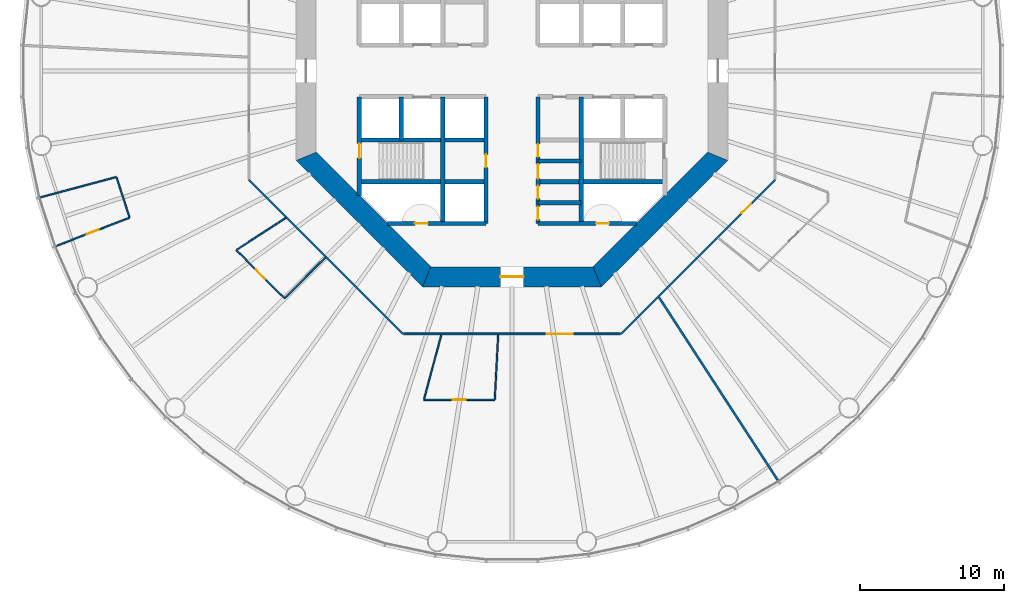
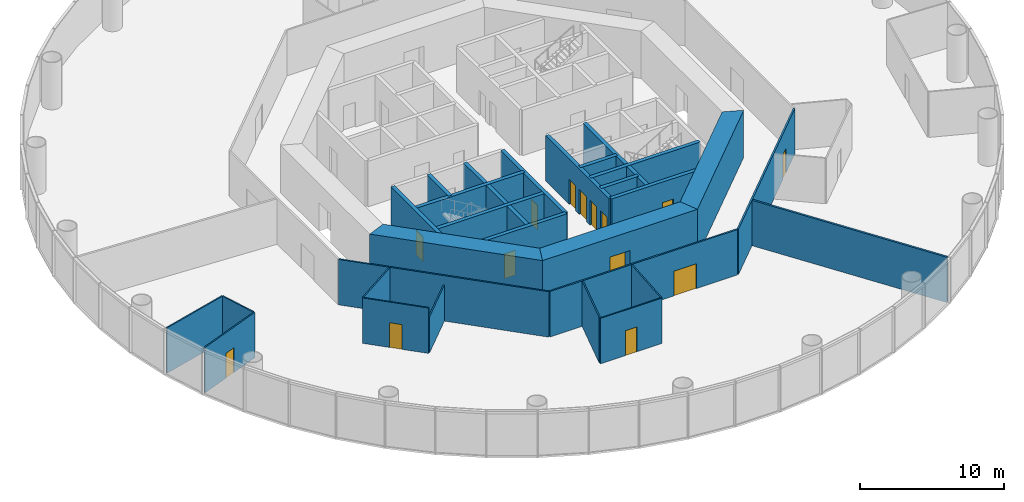
# One storey, part 3 of 13: 29 walls, 14 doors, 14 openings.
"""IFC4 building model written with IfcOpenShell, lengths in metres."""

from ifc_helpers import new_model, si_unit, direction, frame, frame_2d, origin, place, context, subcontext, project, spatial, polyline, rectangle, outline, extrude, material, layer, layer_set, type_object, element, fill, save


model = new_model("IFC4")

# Units and contexts
model_context = context("Model", 3, precision=1e-05, world=origin(), true_north=direction((0.0, 1.0)))
body_context = subcontext(model_context, "Body", "Model", "MODEL_VIEW")
ifc_project = project(units=[si_unit("LENGTHUNIT", "METRE"), si_unit("AREAUNIT", "SQUARE_METRE"), si_unit("VOLUMEUNIT", "CUBIC_METRE"), si_unit("PLANEANGLEUNIT", "RADIAN"), si_unit("MASSUNIT", "GRAM", prefix="KILO")], contexts=[model_context])

# Site, building, storey
site_placement = place(None, origin())
site = spatial("IfcSite", under=ifc_project, at=site_placement, CompositionType="ELEMENT")
building_placement = place(site_placement, origin())
building = spatial("IfcBuilding", under=site, at=building_placement, Name="Entoto Ring Tower", CompositionType="ELEMENT")
storey_placement = place(building_placement, frame((0.0, 0.0, 42.0)))
storey = spatial("IfcBuildingStorey", under=building, at=storey_placement, Name="L08", CompositionType="ELEMENT", Elevation=42.0)

# Wall
ifc_material_1 = material(Name="Concrete C40/50", Category="concrete")
ifc_layer_1 = layer(ifc_material_1, 0.300048828125)
ifc_layer_set_1 = layer_set([ifc_layer_1], Name="Concrete C40/50")
wall_type_1 = type_object("IfcWallType", Name="Core enclosure wall 300 mm reinforced concrete", PredefinedType="SOLIDWALL", material=ifc_layer_set_1)
wall_1_placement = place(storey_placement, frame((94.800048828125, 69.39990234375, 0.0), z_axis=(0.0, 0.0, 1.0), x_axis=(0.0, 1.0, 0.0)))
element("IfcWall", 1, at=wall_1_placement, inside=storey, type_object=wall_type_1, Name="wall-L08-005", PredefinedType="SOLIDWALL", context=body_context, shape_type="SweptSolid", body=[
    extrude(rectangle(XDim=8.800048828125, YDim=0.300048828125, at=frame_2d((4.39990234375, 0.0))), origin(), (0.0, 0.0, 1.0), 3.85009765625),
])

# Wall, openings, doors
wall_2_placement = place(storey_placement, frame((91.800048828125, 69.39990234375, 0.0), z_axis=(0.0, 0.0, 1.0), x_axis=(0.0, 1.0, 0.0)))
wall_2 = element("IfcWall", 2, at=wall_2_placement, inside=storey, type_object=wall_type_1, Name="wall-L08-007", PredefinedType="SOLIDWALL", context=body_context, shape_type="SweptSolid", body=[
    extrude(rectangle(XDim=8.800048828125, YDim=0.300048828125, at=frame_2d((4.39990234375, 0.0))), origin(), (0.0, 0.0, 1.0), 3.85009765625),
])
opening_1_placement = place(wall_2_placement, frame((3.125, 0.0, 0.0)))
opening_1 = element("IfcOpeningElement", 3, at=opening_1_placement, cuts=wall_2, Name="Opening K-13", PredefinedType="OPENING", context=body_context, shape_type="SweptSolid", body=[
    extrude(rectangle(XDim=1.0, YDim=2.10009765625, at=frame_2d((0.5, 1.050048828125))), frame((0.0, 0.16015625, 0.0), z_axis=(0.0, -1.0, 0.0), x_axis=(1.0, 0.0, 0.0)), (0.0, 0.0, 1.0), 0.320068359375),
])
opening_2_placement = place(wall_2_placement, frame((4.625, 0.0, 0.0)))
opening_2 = element("IfcOpeningElement", 4, at=opening_2_placement, cuts=wall_2, Name="Opening K-14", PredefinedType="OPENING", context=body_context, shape_type="SweptSolid", body=[
    extrude(rectangle(XDim=0.89990234375, YDim=2.10009765625, at=frame_2d((0.449951171875, 1.050048828125))), frame((0.0, 0.16015625, 0.0), z_axis=(0.0, -1.0, 0.0), x_axis=(1.0, 0.0, 0.0)), (0.0, 0.0, 1.0), 0.320068359375),
])
opening_3_placement = place(wall_2_placement, frame((0.27490234375, 0.0, 0.0)))
opening_3 = element("IfcOpeningElement", 5, at=opening_3_placement, cuts=wall_2, Name="Opening K-15", PredefinedType="OPENING", context=body_context, shape_type="SweptSolid", body=[
    extrude(rectangle(XDim=0.89990234375, YDim=2.10009765625, at=frame_2d((0.449951171875, 1.050048828125))), frame((0.0, 0.16015625, 0.0), z_axis=(0.0, -1.0, 0.0), x_axis=(1.0, 0.0, 0.0)), (0.0, 0.0, 1.0), 0.320068359375),
])
opening_4_placement = place(wall_2_placement, frame((1.72509765625, 0.0, 0.0)))
opening_4 = element("IfcOpeningElement", 6, at=opening_4_placement, cuts=wall_2, Name="Opening K-16", PredefinedType="OPENING", context=body_context, shape_type="SweptSolid", body=[
    extrude(rectangle(XDim=0.89990234375, YDim=2.10009765625, at=frame_2d((0.449951171875, 1.050048828125))), frame((0.0, 0.16015625, 0.0), z_axis=(0.0, -1.0, 0.0), x_axis=(1.0, 0.0, 0.0)), (0.0, 0.0, 1.0), 0.320068359375),
])
ifc_material_2 = material(Name="Steel door leaf, fire rated", Category="steel")
ifc_layer_2 = layer(ifc_material_2, 0.050048828125)
ifc_layer_set_2 = layer_set([ifc_layer_2], Name="Steel door leaf, fire rated")
door_type_1 = type_object("IfcDoorType", Name="Accessible door 1000 x 2100 single leaf", OperationType="NOTDEFINED", PredefinedType="DOOR", material=ifc_layer_set_2)
door_1_placement = place(opening_1_placement, frame((1.0, 0.0, 0.0), z_axis=(0.0, 0.0, 1.0), x_axis=(-1.0, 0.0, 0.0)))
door_1 = element("IfcDoor", 7, at=door_1_placement, inside=storey, type_object=door_type_1, Name="Door K-13", OperationType="SINGLE_SWING_LEFT", OverallHeight=2.10009765625, OverallWidth=1.0, PredefinedType="DOOR", context=body_context, shape_type="SweptSolid", body=[
    extrude(rectangle(XDim=1.0, YDim=2.10009765625, at=frame_2d((0.5, 1.050048828125))), frame((0.0, 0.02490234375, 0.0), z_axis=(0.0, -1.0, 0.0), x_axis=(1.0, 0.0, 0.0)), (0.0, 0.0, 1.0), 0.050048828125),
])
fill(opening_1, door_1)
ifc_material_3 = material(Name="Steel door leaf, fire rated", Category="steel")
ifc_layer_3 = layer(ifc_material_3, 0.050048828125)
ifc_layer_set_3 = layer_set([ifc_layer_3], Name="Steel door leaf, fire rated")
door_type_2 = type_object("IfcDoorType", Name="Core door 900 x 2100 single leaf", OperationType="NOTDEFINED", PredefinedType="DOOR", material=ifc_layer_set_3)
door_2_placement = place(opening_2_placement, frame((0.89990234375, 0.0, 0.0), z_axis=(0.0, 0.0, 1.0), x_axis=(-1.0, 0.0, 0.0)))
door_2 = element("IfcDoor", 8, at=door_2_placement, inside=storey, type_object=door_type_2, Name="Door K-14", OperationType="SINGLE_SWING_LEFT", OverallHeight=2.10009765625, OverallWidth=0.89990234375, PredefinedType="DOOR", context=body_context, shape_type="SweptSolid", body=[
    extrude(rectangle(XDim=0.89990234375, YDim=2.10009765625, at=frame_2d((0.449951171875, 1.050048828125))), frame((0.0, 0.02490234375, 0.0), z_axis=(0.0, -1.0, 0.0), x_axis=(1.0, 0.0, 0.0)), (0.0, 0.0, 1.0), 0.050048828125),
])
fill(opening_2, door_2)
door_3_placement = place(opening_3_placement, frame((0.89990234375, 0.0, 0.0), z_axis=(0.0, 0.0, 1.0), x_axis=(-1.0, 0.0, 0.0)))
door_3 = element("IfcDoor", 9, at=door_3_placement, inside=storey, type_object=door_type_2, Name="Door K-15", OperationType="SINGLE_SWING_LEFT", OverallHeight=2.10009765625, OverallWidth=0.89990234375, PredefinedType="DOOR", context=body_context, shape_type="SweptSolid", body=[
    extrude(rectangle(XDim=0.89990234375, YDim=2.10009765625, at=frame_2d((0.449951171875, 1.050048828125))), frame((0.0, 0.02490234375, 0.0), z_axis=(0.0, -1.0, 0.0), x_axis=(1.0, 0.0, 0.0)), (0.0, 0.0, 1.0), 0.050048828125),
])
fill(opening_3, door_3)
door_4_placement = place(opening_4_placement, frame((0.89990234375, 0.0, 0.0), z_axis=(0.0, 0.0, 1.0), x_axis=(-1.0, 0.0, 0.0)))
door_4 = element("IfcDoor", 10, at=door_4_placement, inside=storey, type_object=door_type_2, Name="Door K-16", OperationType="SINGLE_SWING_LEFT", OverallHeight=2.10009765625, OverallWidth=0.89990234375, PredefinedType="DOOR", context=body_context, shape_type="SweptSolid", body=[
    extrude(rectangle(XDim=0.89990234375, YDim=2.10009765625, at=frame_2d((0.449951171875, 1.050048828125))), frame((0.0, 0.02490234375, 0.0), z_axis=(0.0, -1.0, 0.0), x_axis=(1.0, 0.0, 0.0)), (0.0, 0.0, 1.0), 0.050048828125),
])
fill(opening_4, door_4)

# Wall, opening, door
wall_3_placement = place(storey_placement, frame((88.199951171875, 69.39990234375, 0.0), z_axis=(0.0, 0.0, 1.0), x_axis=(0.0, 1.0, 0.0)))
wall_3 = element("IfcWall", 11, at=wall_3_placement, inside=storey, type_object=wall_type_1, Name="wall-L08-009", PredefinedType="SOLIDWALL", context=body_context, shape_type="SweptSolid", body=[
    extrude(rectangle(XDim=8.800048828125, YDim=0.300048828125, at=frame_2d((4.39990234375, 0.0))), origin(), (0.0, 0.0, 1.0), 3.85009765625),
])
opening_5_placement = place(wall_3_placement, frame((3.89990234375, 0.0, 0.0)))
opening_5 = element("IfcOpeningElement", 12, at=opening_5_placement, cuts=wall_3, Name="Opening K-57", PredefinedType="OPENING", context=body_context, shape_type="SweptSolid", body=[
    extrude(rectangle(XDim=0.89990234375, YDim=2.10009765625, at=frame_2d((0.449951171875, 1.050048828125))), frame((0.0, 0.16015625, 0.0), z_axis=(0.0, -1.0, 0.0), x_axis=(1.0, 0.0, 0.0)), (0.0, 0.0, 1.0), 0.320068359375),
])
door_5_placement = place(opening_5_placement, origin())
door_5 = element("IfcDoor", 13, at=door_5_placement, inside=storey, type_object=door_type_2, Name="Door K-57", OperationType="SINGLE_SWING_RIGHT", OverallHeight=2.10009765625, OverallWidth=0.89990234375, PredefinedType="DOOR", context=body_context, shape_type="SweptSolid", body=[
    extrude(rectangle(XDim=0.89990234375, YDim=2.10009765625, at=frame_2d((0.449951171875, 1.050048828125))), frame((0.0, 0.02490234375, 0.0), z_axis=(0.0, -1.0, 0.0), x_axis=(1.0, 0.0, 0.0)), (0.0, 0.0, 1.0), 0.050048828125),
])
fill(opening_5, door_5)

# Walls
wall_4_placement = place(storey_placement, frame((85.199951171875, 69.39990234375, 0.0), z_axis=(0.0, 0.0, 1.0), x_axis=(0.0, 1.0, 0.0)))
element("IfcWall", 14, at=wall_4_placement, inside=storey, type_object=wall_type_1, Name="wall-L08-011", PredefinedType="SOLIDWALL", context=body_context, shape_type="SweptSolid", body=[
    extrude(rectangle(XDim=8.800048828125, YDim=0.300048828125, at=frame_2d((4.39990234375, 0.0))), origin(), (0.0, 0.0, 1.0), 3.85009765625),
])
wall_5_placement = place(storey_placement, frame((82.300048828125, 75.199951171875, 0.0), z_axis=(0.0, 0.0, 1.0), x_axis=(0.0, 1.0, 0.0)))
element("IfcWall", 15, at=wall_5_placement, inside=storey, type_object=wall_type_1, Name="wall-L08-013", PredefinedType="SOLIDWALL", context=body_context, shape_type="SweptSolid", body=[
    extrude(rectangle(XDim=3.0, YDim=0.300048828125, at=frame_2d((1.5, 0.0))), origin(), (0.0, 0.0, 1.0), 3.85009765625),
])

# Wall, opening, door
wall_6_placement = place(storey_placement, frame((79.39990234375, 71.36669921875, 0.0), z_axis=(0.0, 0.0, 1.0), x_axis=(0.0, 1.0, 0.0)))
wall_6 = element("IfcWall", 16, at=wall_6_placement, inside=storey, type_object=wall_type_1, Name="wall-L08-015", PredefinedType="SOLIDWALL", context=body_context, shape_type="SweptSolid", body=[
    extrude(rectangle(XDim=6.833251953125, YDim=0.300048828125, at=frame_2d((3.41650390625, 0.0))), origin(), (0.0, 0.0, 1.0), 3.85009765625),
])
opening_6_placement = place(wall_6_placement, frame((2.583251953125, 0.0, 0.0)))
opening_6 = element("IfcOpeningElement", 17, at=opening_6_placement, cuts=wall_6, Name="Opening K-67", PredefinedType="OPENING", context=body_context, shape_type="SweptSolid", body=[
    extrude(rectangle(XDim=1.0, YDim=2.10009765625, at=frame_2d((0.5, 1.050048828125))), frame((0.0, 0.16015625, 0.0), z_axis=(0.0, -1.0, 0.0), x_axis=(1.0, 0.0, 0.0)), (0.0, 0.0, 1.0), 0.320068359375),
])
ifc_material_4 = material(Name="Steel door leaf, fire rated", Category="steel")
ifc_layer_4 = layer(ifc_material_4, 0.050048828125)
ifc_layer_set_4 = layer_set([ifc_layer_4], Name="Steel door leaf, fire rated")
door_type_3 = type_object("IfcDoorType", Name="Fire door FD60 1000 x 2100 single leaf", OperationType="NOTDEFINED", PredefinedType="DOOR", material=ifc_layer_set_4)
door_6_placement = place(opening_6_placement, frame((1.0, 0.0, 0.0), z_axis=(0.0, 0.0, 1.0), x_axis=(-1.0, 0.0, 0.0)))
door_6 = element("IfcDoor", 18, at=door_6_placement, inside=storey, type_object=door_type_3, Name="Door K-67", OperationType="SINGLE_SWING_LEFT", OverallHeight=2.10009765625, OverallWidth=1.0, PredefinedType="DOOR", context=body_context, shape_type="SweptSolid", body=[
    extrude(rectangle(XDim=1.0, YDim=2.10009765625, at=frame_2d((0.5, 1.050048828125))), frame((0.0, 0.02490234375, 0.0), z_axis=(0.0, -1.0, 0.0), x_axis=(1.0, 0.0, 0.0)), (0.0, 0.0, 1.0), 0.050048828125),
])
fill(opening_6, door_6)

wall_7_placement = place(storey_placement, frame((81.36669921875, 69.39990234375, 0.0), z_axis=(0.0, 0.0, 1.0), x_axis=(1.0, 0.0, 0.0)))
wall_7 = element("IfcWall", 19, at=wall_7_placement, inside=storey, type_object=wall_type_1, Name="wall-L08-017", PredefinedType="SOLIDWALL", context=body_context, shape_type="SweptSolid", body=[
    extrude(rectangle(XDim=6.833251953125, YDim=0.300048828125, at=frame_2d((3.41650390625, 0.0))), origin(), (0.0, 0.0, 1.0), 3.85009765625),
])
opening_7_placement = place(wall_7_placement, frame((1.88330078125, 0.0, 0.0)))
opening_7 = element("IfcOpeningElement", 20, at=opening_7_placement, cuts=wall_7, Name="Opening K-74", PredefinedType="OPENING", context=body_context, shape_type="SweptSolid", body=[
    extrude(rectangle(XDim=0.89990234375, YDim=2.10009765625, at=frame_2d((0.449951171875, 1.050048828125))), frame((0.0, 0.16015625, 0.0), z_axis=(0.0, -1.0, 0.0), x_axis=(1.0, 0.0, 0.0)), (0.0, 0.0, 1.0), 0.320068359375),
])
ifc_material_5 = material(Name="Steel door leaf, fire rated", Category="steel")
ifc_layer_5 = layer(ifc_material_5, 0.050048828125)
ifc_layer_set_5 = layer_set([ifc_layer_5], Name="Steel door leaf, fire rated")
door_type_4 = type_object("IfcDoorType", Name="Riser door FD60 900 x 2100 single leaf", OperationType="NOTDEFINED", PredefinedType="DOOR", material=ifc_layer_set_5)
door_7_placement = place(opening_7_placement, origin())
door_7 = element("IfcDoor", 21, at=door_7_placement, inside=storey, type_object=door_type_4, Name="Door K-74", OperationType="SINGLE_SWING_RIGHT", OverallHeight=2.10009765625, OverallWidth=0.89990234375, PredefinedType="DOOR", context=body_context, shape_type="SweptSolid", body=[
    extrude(rectangle(XDim=0.89990234375, YDim=2.10009765625, at=frame_2d((0.449951171875, 1.050048828125))), frame((0.0, 0.02490234375, 0.0), z_axis=(0.0, -1.0, 0.0), x_axis=(1.0, 0.0, 0.0)), (0.0, 0.0, 1.0), 0.050048828125),
])
fill(opening_7, door_7)

wall_8_placement = place(storey_placement, frame((91.800048828125, 69.39990234375, 0.0), z_axis=(0.0, 0.0, 1.0), x_axis=(1.0, 0.0, 0.0)))
wall_8 = element("IfcWall", 22, at=wall_8_placement, inside=storey, type_object=wall_type_1, Name="wall-L08-018", PredefinedType="SOLIDWALL", context=body_context, shape_type="SweptSolid", body=[
    extrude(rectangle(XDim=6.833251953125, YDim=0.300048828125, at=frame_2d((3.41650390625, 0.0))), origin(), (0.0, 0.0, 1.0), 3.85009765625),
])
opening_8_placement = place(wall_8_placement, frame((4.050048828125, 0.0, 0.0)))
opening_8 = element("IfcOpeningElement", 23, at=opening_8_placement, cuts=wall_8, Name="Opening K-75", PredefinedType="OPENING", context=body_context, shape_type="SweptSolid", body=[
    extrude(rectangle(XDim=0.89990234375, YDim=2.10009765625, at=frame_2d((0.449951171875, 1.050048828125))), frame((0.0, 0.16015625, 0.0), z_axis=(0.0, -1.0, 0.0), x_axis=(1.0, 0.0, 0.0)), (0.0, 0.0, 1.0), 0.320068359375),
])
door_8_placement = place(opening_8_placement, origin())
door_8 = element("IfcDoor", 24, at=door_8_placement, inside=storey, type_object=door_type_4, Name="Door K-75", OperationType="SINGLE_SWING_LEFT", OverallHeight=2.10009765625, OverallWidth=0.89990234375, PredefinedType="DOOR", context=body_context, shape_type="SweptSolid", body=[
    extrude(rectangle(XDim=0.89990234375, YDim=2.10009765625, at=frame_2d((0.449951171875, 1.050048828125))), frame((0.0, 0.02490234375, 0.0), z_axis=(0.0, -1.0, 0.0), x_axis=(1.0, 0.0, 0.0)), (0.0, 0.0, 1.0), 0.050048828125),
])
fill(opening_8, door_8)

# Walls
wall_9_placement = place(storey_placement, frame((91.800048828125, 70.85009765625, 0.0), z_axis=(0.0, 0.0, 1.0), x_axis=(1.0, 0.0, 0.0)))
element("IfcWall", 25, at=wall_9_placement, inside=storey, type_object=wall_type_1, Name="wall-L08-019", PredefinedType="SOLIDWALL", context=body_context, shape_type="SweptSolid", body=[
    extrude(rectangle(XDim=3.0, YDim=0.300048828125, at=frame_2d((1.5, 0.0))), origin(), (0.0, 0.0, 1.0), 3.85009765625),
])
for number, where, z_axis, x_axis, name in (
    (26, (79.39990234375, 72.300048828125, 0.0), (0.0, 0.0, 1.0), (1.0, 0.0, 0.0), "wall-L08-020"),
    (27, (91.800048828125, 72.300048828125, 0.0), (0.0, 0.0, 1.0), (1.0, 0.0, 0.0), "wall-L08-021"),
):
    element("IfcWall", number, at=place(storey_placement, frame(where, z_axis=z_axis, x_axis=x_axis)), inside=storey, type_object=wall_type_1, Name=name, PredefinedType="SOLIDWALL", context=body_context, shape_type="SweptSolid", body=[
        extrude(rectangle(XDim=8.800048828125, YDim=0.300048828125, at=frame_2d((4.39990234375, 0.0))), origin(), (0.0, 0.0, 1.0), 3.85009765625),
    ])
wall_10_placement = place(storey_placement, frame((91.800048828125, 73.75, 0.0), z_axis=(0.0, 0.0, 1.0), x_axis=(1.0, 0.0, 0.0)))
element("IfcWall", 28, at=wall_10_placement, inside=storey, type_object=wall_type_1, Name="wall-L08-022", PredefinedType="SOLIDWALL", context=body_context, shape_type="SweptSolid", body=[
    extrude(rectangle(XDim=3.0, YDim=0.300048828125, at=frame_2d((1.5, 0.0))), origin(), (0.0, 0.0, 1.0), 3.85009765625),
])
wall_11_placement = place(storey_placement, frame((79.39990234375, 75.199951171875, 0.0), z_axis=(0.0, 0.0, 1.0), x_axis=(1.0, 0.0, 0.0)))
element("IfcWall", 29, at=wall_11_placement, inside=storey, type_object=wall_type_1, Name="wall-L08-023", PredefinedType="SOLIDWALL", context=body_context, shape_type="SweptSolid", body=[
    extrude(rectangle(XDim=8.800048828125, YDim=0.300048828125, at=frame_2d((4.39990234375, 0.0))), origin(), (0.0, 0.0, 1.0), 3.85009765625),
])
ifc_material_6 = material(Name="Concrete C60/75", Category="concrete")
ifc_layer_6 = layer(ifc_material_6, 1.39990234375)
ifc_layer_set_6 = layer_set([ifc_layer_6], Name="Concrete C60/75")
wall_type_2 = type_object("IfcWallType", Name="Core shear wall 1400 mm reinforced concrete C60/75", PredefinedType="SHEAR", material=ifc_layer_set_6)
wall_12_placement = place(storey_placement, frame((75.699951171875, 74.07666015625, 0.0), z_axis=(0.0, 0.0, 1.0), x_axis=(0.707106781187, -0.707106781187, 0.0)))
element("IfcWall", 30, at=wall_12_placement, inside=storey, type_object=wall_type_2, Name="wall-L08-core-5", PredefinedType="SHEAR", context=body_context, shape_type="SweptSolid", body=[
    extrude(outline(polyline([(-0.2900390625, -0.699951171875), (12.136474609375, -0.699951171875), (11.556396484375, 0.699951171875), (0.2900390625, 0.699951171875), (-0.2900390625, -0.699951171875)])), origin(), (0.0, 0.0, 1.0), 4.0),
])

# Wall, opening, door
wall_13_placement = place(storey_placement, frame((84.07666015625, 65.699951171875, 0.0), z_axis=(0.0, 0.0, 1.0), x_axis=(1.0, 0.0, 0.0)))
wall_13 = element("IfcWall", 31, at=wall_13_placement, inside=storey, type_object=wall_type_2, Name="wall-L08-core-6", PredefinedType="SHEAR", context=body_context, shape_type="SweptSolid", body=[
    extrude(outline(polyline([(-0.2900390625, -0.699951171875), (12.13671875, -0.699951171875), (11.556640625, 0.699951171875), (0.2900390625, 0.699951171875), (-0.2900390625, -0.699951171875)])), origin(), (0.0, 0.0, 1.0), 4.0),
])
opening_9_placement = place(wall_13_placement, frame((5.123291015625, 0.0, 0.0)))
opening_9 = element("IfcOpeningElement", 32, at=opening_9_placement, cuts=wall_13, Name="Opening K-04", PredefinedType="OPENING", context=body_context, shape_type="SweptSolid", body=[
    extrude(rectangle(XDim=1.60009765625, YDim=2.39990234375, at=frame_2d((0.800048828125, 1.199951171875))), frame((0.0, 0.7099609375, 0.0), z_axis=(0.0, -1.0, 0.0), x_axis=(1.0, 0.0, 0.0)), (0.0, 0.0, 1.0), 1.419921875),
])
ifc_material_7 = material(Name="Steel door leaf, fire rated", Category="steel")
ifc_layer_7 = layer(ifc_material_7, 0.050048828125)
ifc_layer_set_7 = layer_set([ifc_layer_7], Name="Steel door leaf, fire rated")
door_type_5 = type_object("IfcDoorType", Name="Entrance door FD60 1600 x 2400 double leaf", OperationType="DOUBLE_DOOR_SINGLE_SWING", PredefinedType="DOOR", material=ifc_layer_set_7)
door_9_placement = place(opening_9_placement, origin())
door_9 = element("IfcDoor", 33, at=door_9_placement, inside=storey, type_object=door_type_5, Name="Entrance door K-04", OperationType="DOUBLE_DOOR_SINGLE_SWING", OverallHeight=2.39990234375, OverallWidth=1.60009765625, PredefinedType="DOOR", context=body_context, shape_type="SweptSolid", body=[
    extrude(rectangle(XDim=1.60009765625, YDim=2.39990234375, at=frame_2d((0.800048828125, 1.199951171875))), frame((0.0, 0.02490234375, 0.0), z_axis=(0.0, -1.0, 0.0), x_axis=(1.0, 0.0, 0.0)), (0.0, 0.0, 1.0), 0.050048828125),
])
fill(opening_9, door_9)

# Walls
wall_14_placement = place(storey_placement, frame((95.92333984375, 65.699951171875, 0.0), z_axis=(0.0, 0.0, 1.0), x_axis=(0.707106781187, 0.707106781187, 0.0)))
element("IfcWall", 34, at=wall_14_placement, inside=storey, type_object=wall_type_2, Name="wall-L08-core-7", PredefinedType="SHEAR", context=body_context, shape_type="SweptSolid", body=[
    extrude(outline(polyline([(-0.2900390625, -0.699951171875), (12.136474609375, -0.699951171875), (11.556396484375, 0.699951171875), (0.2900390625, 0.699951171875), (-0.2900390625, -0.699951171875)])), origin(), (0.0, 0.0, 1.0), 4.0),
])
ifc_material_8 = material(Name="Fire-resisting plasterboard on steel studs", Category="steel")
ifc_layer_8 = layer(ifc_material_8, 0.125)
ifc_layer_set_8 = layer_set([ifc_layer_8], Name="Fire-resisting plasterboard on steel studs")
wall_type_3 = type_object("IfcWallType", Name="Corridor wall 125 mm one-hour plasterboard on steel studs", PredefinedType="PARTITIONING", material=ifc_layer_set_8)
wall_15_placement = place(storey_placement, frame((82.435302734375, 61.737548828125, 0.0), z_axis=(0.0, 0.0, 1.0), x_axis=(-0.707106781187, 0.707106781187, 0.0)))
element("IfcWall", 35, at=wall_15_placement, inside=storey, type_object=wall_type_3, Name="partition-L08-002", PredefinedType="PARTITIONING", context=body_context, shape_type="SweptSolid", body=[
    extrude(rectangle(XDim=15.12890625, YDim=0.125, at=frame_2d((7.564453125, 0.0))), origin(), (0.0, 0.0, 1.0), 3.85009765625),
])

# Wall, opening, door
wall_16_placement = place(storey_placement, frame((97.564697265625, 61.737548828125, 0.0), z_axis=(0.0, 0.0, 1.0), x_axis=(0.707106781187, 0.707106781187, 0.0)))
wall_16 = element("IfcWall", 36, at=wall_16_placement, inside=storey, type_object=wall_type_3, Name="partition-L08-003", PredefinedType="PARTITIONING", context=body_context, shape_type="SweptSolid", body=[
    extrude(rectangle(XDim=15.12890625, YDim=0.125, at=frame_2d((7.564453125, 0.0))), origin(), (0.0, 0.0, 1.0), 3.85009765625),
])
opening_10_placement = place(wall_16_placement, frame((11.8564453125, 0.0, 0.0)))
opening_10 = element("IfcOpeningElement", 37, at=opening_10_placement, cuts=wall_16, Name="Opening A04-D09", PredefinedType="OPENING", context=body_context, shape_type="SweptSolid", body=[
    extrude(rectangle(XDim=0.89990234375, YDim=2.10009765625, at=frame_2d((0.449951171875, 1.050048828125))), frame((0.0, 0.072509765625, 0.0), z_axis=(0.0, -1.0, 0.0), x_axis=(1.0, 0.0, 0.0)), (0.0, 0.0, 1.0), 0.14501953125),
])
ifc_material_9 = material(Name="Fire-resisting timber door set", Category="wood")
door_type_6 = type_object("IfcDoorType", Name="Door 1000 x 2100 single leaf FD30S fire door", OperationType="NOTDEFINED", PredefinedType="DOOR", material=ifc_material_9)
door_10_placement = place(opening_10_placement, frame((0.89990234375, 0.0, 0.0), z_axis=(0.0, 0.0, 1.0), x_axis=(-1.0, 0.0, 0.0)))
door_10 = element("IfcDoor", 38, at=door_10_placement, inside=storey, type_object=door_type_6, Name="Door A04-D09", OperationType="SINGLE_SWING_RIGHT", OverallHeight=2.10009765625, OverallWidth=0.89990234375, PredefinedType="DOOR", context=body_context, shape_type="SweptSolid", body=[
    extrude(rectangle(XDim=0.89990234375, YDim=2.10009765625, at=frame_2d((0.449951171875, 1.050048828125))), frame((0.0, 0.02490234375, 0.0), z_axis=(0.0, -1.0, 0.0), x_axis=(1.0, 0.0, 0.0)), (0.0, 0.0, 1.0), 0.050048828125),
])
fill(opening_10, door_10)

wall_17_placement = place(storey_placement, frame((82.4794921875, 61.737548828125, 0.0), z_axis=(0.0, 0.0, 1.0), x_axis=(1.0, 0.0, 0.0)))
wall_17 = element("IfcWall", 39, at=wall_17_placement, inside=storey, type_object=wall_type_3, Name="partition-L08-006", PredefinedType="PARTITIONING", context=body_context, shape_type="SweptSolid", body=[
    extrude(rectangle(XDim=15.041015625, YDim=0.125, at=frame_2d((7.5205078125, 0.0))), origin(), (0.0, 0.0, 1.0), 3.85009765625),
])
opening_11_placement = place(wall_17_placement, frame((9.92431640625, 0.0, 0.0)))
opening_11 = element("IfcOpeningElement", 40, at=opening_11_placement, cuts=wall_17, Name="Opening A04-D01", PredefinedType="OPENING", context=body_context, shape_type="SweptSolid", body=[
    extrude(rectangle(XDim=1.800048828125, YDim=2.10009765625, at=frame_2d((0.89990234375, 1.050048828125))), frame((0.0, 0.072509765625, 0.0), z_axis=(0.0, -1.0, 0.0), x_axis=(1.0, 0.0, 0.0)), (0.0, 0.0, 1.0), 0.14501953125),
])
ifc_material_10 = material(Name="Fire-resisting timber door set", Category="wood")
door_type_7 = type_object("IfcDoorType", Name="Door 1800 x 2100 double leaf FD30S fire door", OperationType="DOUBLE_DOOR_SINGLE_SWING", PredefinedType="DOOR", material=ifc_material_10)
door_11_placement = place(opening_11_placement, origin())
door_11 = element("IfcDoor", 41, at=door_11_placement, inside=storey, type_object=door_type_7, Name="Door A04-D01", OperationType="DOUBLE_DOOR_SINGLE_SWING", OverallHeight=2.10009765625, OverallWidth=1.800048828125, PredefinedType="DOOR", context=body_context, shape_type="SweptSolid", body=[
    extrude(rectangle(XDim=1.800048828125, YDim=2.10009765625, at=frame_2d((0.89990234375, 1.050048828125))), frame((0.0, 0.02490234375, 0.0), z_axis=(0.0, -1.0, 0.0), x_axis=(1.0, 0.0, 0.0)), (0.0, 0.0, 1.0), 0.050048828125),
])
fill(opening_11, door_11)

ifc_material_11 = material(Name="Plasterboard on steel studs", Category="steel")
ifc_layer_9 = layer(ifc_material_11, 0.10009765625)
ifc_layer_set_9 = layer_set([ifc_layer_9], Name="Plasterboard on steel studs")
wall_type_4 = type_object("IfcWallType", Name="Partition 100 mm plasterboard on steel studs", PredefinedType="PARTITIONING", material=ifc_layer_set_9)
wall_18_placement = place(storey_placement, frame((58.314208984375, 67.8369140625, 0.0), z_axis=(0.0, 0.0, 1.0), x_axis=(0.933578069125, 0.358374090649, 0.0)))
wall_18 = element("IfcWall", 42, at=wall_18_placement, inside=storey, type_object=wall_type_4, Name="partition-L08-014", PredefinedType="PARTITIONING", context=body_context, shape_type="SweptSolid", body=[
    extrude(rectangle(XDim=5.490234375, YDim=0.10009765625, at=frame_2d((2.7451171875, 0.0))), origin(), (0.0, 0.0, 1.0), 3.85009765625),
])
opening_12_placement = place(wall_18_placement, frame((2.294921875, 0.0, 0.0)))
opening_12 = element("IfcOpeningElement", 43, at=opening_12_placement, cuts=wall_18, Name="Opening A04-D05", PredefinedType="OPENING", context=body_context, shape_type="SweptSolid", body=[
    extrude(rectangle(XDim=0.89990234375, YDim=2.10009765625, at=frame_2d((0.449951171875, 1.050048828125))), frame((0.0, 0.06005859375, 0.0), z_axis=(0.0, -1.0, 0.0), x_axis=(1.0, 0.0, 0.0)), (0.0, 0.0, 1.0), 0.1201171875),
])
ifc_material_12 = material(Name="Veneered timber door leaf in timber frame", Category="wood")
door_type_8 = type_object("IfcDoorType", Name="Door 900 x 2100 single leaf timber veneer", OperationType="NOTDEFINED", PredefinedType="DOOR", material=ifc_material_12)
door_12_placement = place(opening_12_placement, origin())
door_12 = element("IfcDoor", 44, at=door_12_placement, inside=storey, type_object=door_type_8, Name="Door A04-D05", OperationType="SINGLE_SWING_LEFT", OverallHeight=2.10009765625, OverallWidth=0.89990234375, PredefinedType="DOOR", context=body_context, shape_type="SweptSolid", body=[
    extrude(rectangle(XDim=0.89990234375, YDim=2.10009765625, at=frame_2d((0.449951171875, 1.050048828125))), frame((0.0, 0.02490234375, 0.0), z_axis=(0.0, -1.0, 0.0), x_axis=(1.0, 0.0, 0.0)), (0.0, 0.0, 1.0), 0.050048828125),
])
fill(opening_12, door_12)

# Wall
wall_19_placement = place(storey_placement, frame((57.216552734375, 71.2158203125, 0.0), z_axis=(0.0, 0.0, 1.0), x_axis=(0.965924230401, 0.258825000964, 0.0)))
element("IfcWall", 45, at=wall_19_placement, inside=storey, type_object=wall_type_4, Name="partition-L08-015", PredefinedType="PARTITIONING", context=body_context, shape_type="SweptSolid", body=[
    extrude(rectangle(XDim=5.48974609375, YDim=0.10009765625, at=frame_2d((2.744873046875, 0.0))), origin(), (0.0, 0.0, 1.0), 3.85009765625),
])

# Wall, opening, door
wall_20_placement = place(storey_placement, frame((83.87939453125, 57.157470703125, 0.0), z_axis=(0.0, 0.0, 1.0), x_axis=(1.0, 0.0, 0.0)))
wall_20 = element("IfcWall", 46, at=wall_20_placement, inside=storey, type_object=wall_type_4, Name="partition-L08-016", PredefinedType="PARTITIONING", context=body_context, shape_type="SweptSolid", body=[
    extrude(rectangle(XDim=4.923583984375, YDim=0.10009765625, at=frame_2d((2.4619140625, 0.0))), origin(), (0.0, 0.0, 1.0), 3.85009765625),
])
opening_13_placement = place(wall_20_placement, frame((2.01171875, 0.0, 0.0)))
opening_13 = element("IfcOpeningElement", 47, at=opening_13_placement, cuts=wall_20, Name="Opening A04-D04", PredefinedType="OPENING", context=body_context, shape_type="SweptSolid", body=[
    extrude(rectangle(XDim=0.89990234375, YDim=2.10009765625, at=frame_2d((0.449951171875, 1.050048828125))), frame((0.0, 0.06005859375, 0.0), z_axis=(0.0, -1.0, 0.0), x_axis=(1.0, 0.0, 0.0)), (0.0, 0.0, 1.0), 0.1201171875),
])
door_13_placement = place(opening_13_placement, origin())
door_13 = element("IfcDoor", 48, at=door_13_placement, inside=storey, type_object=door_type_8, Name="Door A04-D04", OperationType="SINGLE_SWING_LEFT", OverallHeight=2.10009765625, OverallWidth=0.89990234375, PredefinedType="DOOR", context=body_context, shape_type="SweptSolid", body=[
    extrude(rectangle(XDim=0.89990234375, YDim=2.10009765625, at=frame_2d((0.449951171875, 1.050048828125))), frame((0.0, 0.02490234375, 0.0), z_axis=(0.0, -1.0, 0.0), x_axis=(1.0, 0.0, 0.0)), (0.0, 0.0, 1.0), 0.050048828125),
])
fill(opening_13, door_13)

wall_21_placement = place(storey_placement, frame((74.201416015625, 64.201416015625, 0.0), z_axis=(0.0, 0.0, 1.0), x_axis=(-0.707081076158, 0.707132485281, 0.0)))
wall_21 = element("IfcWall", 49, at=wall_21_placement, inside=storey, type_object=wall_type_4, Name="partition-L08-018", PredefinedType="PARTITIONING", context=body_context, shape_type="SweptSolid", body=[
    extrude(rectangle(XDim=4.7490234375, YDim=0.10009765625, at=frame_2d((2.37451171875, 0.0))), origin(), (0.0, 0.0, 1.0), 3.85009765625),
])
opening_14_placement = place(wall_21_placement, frame((1.924560546875, 0.0, 0.0)))
opening_14 = element("IfcOpeningElement", 50, at=opening_14_placement, cuts=wall_21, Name="Opening A04-D03", PredefinedType="OPENING", context=body_context, shape_type="SweptSolid", body=[
    extrude(rectangle(XDim=0.89990234375, YDim=2.10009765625, at=frame_2d((0.449951171875, 1.050048828125))), frame((0.0, 0.06005859375, 0.0), z_axis=(0.0, -1.0, 0.0), x_axis=(1.0, 0.0, 0.0)), (0.0, 0.0, 1.0), 0.1201171875),
])
door_14_placement = place(opening_14_placement, frame((0.89990234375, 0.0, 0.0), z_axis=(0.0, 0.0, 1.0), x_axis=(-1.0, 0.0, 0.0)))
door_14 = element("IfcDoor", 51, at=door_14_placement, inside=storey, type_object=door_type_8, Name="Door A04-D03", OperationType="SINGLE_SWING_LEFT", OverallHeight=2.10009765625, OverallWidth=0.89990234375, PredefinedType="DOOR", context=body_context, shape_type="SweptSolid", body=[
    extrude(rectangle(XDim=0.89990234375, YDim=2.10009765625, at=frame_2d((0.449951171875, 1.050048828125))), frame((0.0, 0.02490234375, 0.0), z_axis=(0.0, -1.0, 0.0), x_axis=(1.0, 0.0, 0.0)), (0.0, 0.0, 1.0), 0.050048828125),
])
fill(opening_14, door_14)

# Walls
wall_22_placement = place(storey_placement, frame((83.896240234375, 57.22021484375, 0.0), z_axis=(0.0, 0.0, 1.0), x_axis=(0.25881569625, 0.965926723605, 0.0)))
element("IfcWall", 52, at=wall_22_placement, inside=storey, type_object=wall_type_4, Name="partition-L08-019", PredefinedType="PARTITIONING", context=body_context, shape_type="SweptSolid", body=[
    extrude(rectangle(XDim=4.5986328125, YDim=0.10009765625, at=frame_2d((2.29931640625, 0.0))), origin(), (0.0, 0.0, 1.0), 3.85009765625),
])
wall_23_placement = place(storey_placement, frame((88.805419921875, 57.20751953125, 0.0), z_axis=(0.0, 0.0, 1.0), x_axis=(0.05236680735, 0.998627917439, 0.0)))
element("IfcWall", 53, at=wall_23_placement, inside=storey, type_object=wall_type_4, Name="partition-L08-024", PredefinedType="PARTITIONING", context=body_context, shape_type="SweptSolid", body=[
    extrude(rectangle(XDim=4.470947265625, YDim=0.10009765625, at=frame_2d((2.2353515625, 0.0))), origin(), (0.0, 0.0, 1.0), 3.85009765625),
])
wall_24_placement = place(storey_placement, frame((70.89501953125, 67.593017578125, 0.0), z_axis=(0.0, 0.0, 1.0), x_axis=(0.838673001431, 0.544635287757, 0.0)))
element("IfcWall", 54, at=wall_24_placement, inside=storey, type_object=wall_type_4, Name="partition-L08-027", PredefinedType="PARTITIONING", context=body_context, shape_type="SweptSolid", body=[
    extrude(rectangle(XDim=4.03515625, YDim=0.10009765625, at=frame_2d((2.017578125, 0.0))), origin(), (0.0, 0.0, 1.0), 3.85009765625),
])
wall_25_placement = place(storey_placement, frame((63.42431640625, 69.851806640625, 0.0), z_axis=(0.0, 0.0, 1.0), x_axis=(-0.309017022444, 0.951056507175, 0.0)))
element("IfcWall", 55, at=wall_25_placement, inside=storey, type_object=wall_type_4, Name="partition-L08-032", PredefinedType="PARTITIONING", context=body_context, shape_type="SweptSolid", body=[
    extrude(rectangle(XDim=2.878173828125, YDim=0.10009765625, at=frame_2d((1.43896484375, 0.0))), origin(), (0.0, 0.0, 1.0), 3.85009765625),
])
ifc_material_13 = material(Name="Plasterboard on steel studs", Category="steel")
ifc_layer_10 = layer(ifc_material_13, 0.10009765625)
ifc_layer_set_10 = layer_set([ifc_layer_10], Name="Plasterboard on steel studs")
wall_type_5 = type_object("IfcWallType", Name="Partition 100 mm plasterboard on steel studs, 3050 mm high", PredefinedType="PARTITIONING", material=ifc_layer_set_10)
wall_26_placement = place(storey_placement, frame((74.23681640625, 64.23681640625, 0.0), z_axis=(0.0, 0.0, 1.0), x_axis=(0.707106781187, 0.707106781187, 0.0)))
element("IfcWall", 56, at=wall_26_placement, inside=storey, type_object=wall_type_5, Name="partition-L08-028", PredefinedType="PARTITIONING", context=body_context, shape_type="SweptSolid", body=[
    extrude(rectangle(XDim=3.967529296875, YDim=0.10009765625, at=frame_2d((1.98388671875, 0.0))), origin(), (0.0, 0.0, 1.0), 3.050048828125),
])
ifc_material_14 = material(Name="Fire-resisting acoustic plasterboard on steel studs", Category="steel")
ifc_layer_11 = layer(ifc_material_14, 0.14990234375)
ifc_layer_set_11 = layer_set([ifc_layer_11], Name="Fire-resisting acoustic plasterboard on steel studs")
wall_type_6 = type_object("IfcWallType", Name="Party wall 150 mm one-hour acoustic plasterboard on steel studs", PredefinedType="PARTITIONING", material=ifc_layer_set_11)
wall_27_placement = place(storey_placement, frame((108.485107421875, 51.535400390625, 0.0), z_axis=(0.0, 0.0, 1.0), x_axis=(-0.544638037766, 0.838671215565, 0.0)))
element("IfcWall", 57, at=wall_27_placement, inside=storey, type_object=wall_type_6, Name="partition-L08-011", PredefinedType="PARTITIONING", context=body_context, shape_type="SweptSolid", body=[
    extrude(rectangle(XDim=15.189697265625, YDim=0.14990234375, at=frame_2d((7.5947265625, 0.0))), origin(), (0.0, 0.0, 1.0), 3.85009765625),
])

save(model, "model.ifc")
